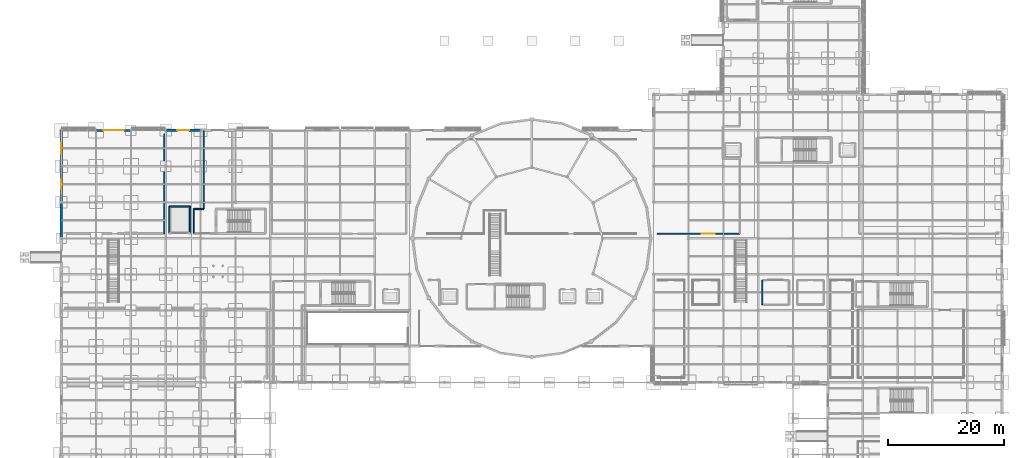
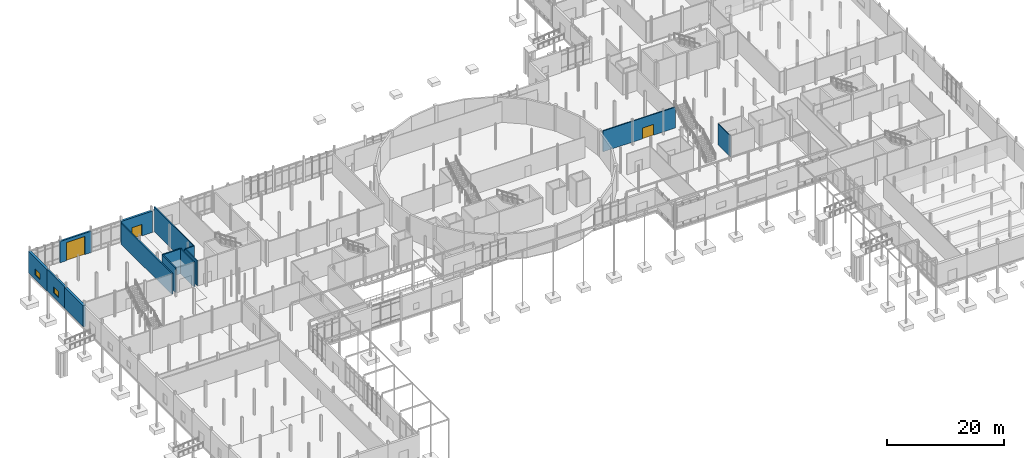
# One storey, part 70 of 98: 14 walls, 3 doors, 2 windows, 5 openings.
"""IFC4 building model written with IfcOpenShell, lengths in metres."""

from ifc_helpers import new_model, si_unit, direction, frame, frame_2d, origin, place, context, subcontext, project, spatial, rectangle, extrude, material, layer, layer_set, type_object, element, fill, save


model = new_model("IFC4")

# Units and contexts
model_context = context("Model", 3, precision=1e-05, world=origin(), true_north=direction((0.0, 1.0)))
body_context = subcontext(model_context, "Body", "Model", "MODEL_VIEW")
ifc_project = project(units=[si_unit("LENGTHUNIT", "METRE"), si_unit("AREAUNIT", "SQUARE_METRE"), si_unit("VOLUMEUNIT", "CUBIC_METRE"), si_unit("PLANEANGLEUNIT", "RADIAN"), si_unit("MASSUNIT", "GRAM", prefix="KILO")], contexts=[model_context])

# Site, building, storey
site_placement = place(None, origin())
site = spatial("IfcSite", under=ifc_project, at=site_placement, CompositionType="ELEMENT")
building_placement = place(site_placement, origin())
building = spatial("IfcBuilding", under=site, at=building_placement, Name="Mirzam Square Science Centre", CompositionType="ELEMENT")
storey_placement = place(building_placement, origin())
storey = spatial("IfcBuildingStorey", under=building, at=storey_placement, Name="L00", CompositionType="ELEMENT", Elevation=0.0)

# Wall, opening, door
ifc_material_1 = material(Name="Honed Qatari Limestone Concrete C40/50", Category="masonry")
ifc_layer_1 = layer(ifc_material_1, 0.419921875)
ifc_layer_set_1 = layer_set([ifc_layer_1], Name="W-EXT-LIME-420")
wall_type_1 = type_object("IfcWallType", Name="W-EXT-LIME-420", PredefinedType="SOLIDWALL", material=ifc_layer_set_1)
wall_1_placement = place(storey_placement, frame((24.074951171875, 80.60009765625, 0.0), z_axis=(0.0, 0.0, 1.0), x_axis=(-1.0, 0.0, 0.0)))
wall_1 = element("IfcWall", 1, at=wall_1_placement, inside=storey, type_object=wall_type_1, Name="L00 external wall EW-WDG-N-L00-04", PredefinedType="SOLIDWALL", context=body_context, shape_type="SweptSolid", body=[
    extrude(rectangle(XDim=6.14990234375, YDim=0.419921875, at=frame_2d((3.074951171875, 0.0))), origin(), (0.0, 0.0, 1.0), 4.43994140625),
])
opening_1_placement = place(wall_1_placement, frame((2.074951171875, 0.0, 0.0)))
opening_1 = element("IfcOpeningElement", 2, at=opening_1_placement, cuts=wall_1, Name="Opening ED-01", PredefinedType="OPENING", context=body_context, shape_type="SweptSolid", body=[
    extrude(rectangle(XDim=2.0, YDim=2.39990234375, at=frame_2d((1.0, 1.199951171875))), frame((0.0, 0.219970703125, 0.0), z_axis=(0.0, -1.0, 0.0), x_axis=(1.0, 0.0, 0.0)), (0.0, 0.0, 1.0), 0.43994140625),
])
ifc_material_2 = material(Name="Thermally Broken Bronze-Anodised Aluminium and Laminated Glass", Category="aluminium")
door_type_1 = type_object("IfcDoorType", Name="DR-EXT-2000x2400", OperationType="DOUBLE_DOOR_SINGLE_SWING", PredefinedType="DOOR", material=ifc_material_2)
door_1_placement = place(opening_1_placement, frame((2.0, 0.0, 0.0), z_axis=(0.0, 0.0, 1.0), x_axis=(-1.0, 0.0, 0.0)))
door_1 = element("IfcDoor", 3, at=door_1_placement, inside=storey, type_object=door_type_1, Name="ED-L00-002", OperationType="DOUBLE_DOOR_SINGLE_SWING", OverallHeight=2.39990234375, OverallWidth=2.0, PredefinedType="DOOR", context=body_context, shape_type="SweptSolid", body=[
    extrude(rectangle(XDim=2.0, YDim=2.39990234375, at=frame_2d((1.0, 1.199951171875))), frame((0.0, 0.02490234375, 0.0), z_axis=(0.0, -1.0, 0.0), x_axis=(1.0, 0.0, 0.0)), (0.0, 0.0, 1.0), 0.050048828125),
])
fill(opening_1, door_1)

# Wall
ifc_layer_2 = layer(ifc_material_1, 0.449951171875)
ifc_layer_set_2 = layer_set([ifc_layer_2], Name="W-EXT-LIME-450")
wall_type_2 = type_object("IfcWallType", Name="W-EXT-LIME-450", PredefinedType="SOLIDWALL", material=ifc_layer_set_2)
wall_2_placement = place(storey_placement, frame((0.0, 68.27490234375, 0.0), z_axis=(0.0, 0.0, 1.0), x_axis=(0.0, -1.0, 0.0)))
element("IfcWall", 4, at=wall_2_placement, inside=storey, type_object=wall_type_2, Name="L00 external wall EW-WDG-W-L00-11", PredefinedType="SOLIDWALL", context=body_context, shape_type="SweptSolid", body=[
    extrude(rectangle(XDim=6.349853515625, YDim=0.449951171875, at=frame_2d((3.1748046875, 0.0))), origin(), (0.0, 0.0, 1.0), 4.43994140625),
])

# Wall, opening, window
wall_3_placement = place(storey_placement, frame((0.0, 80.675048828125, 0.0), z_axis=(0.0, 0.0, 1.0), x_axis=(0.0, -1.0, 0.0)))
wall_3 = element("IfcWall", 5, at=wall_3_placement, inside=storey, type_object=wall_type_2, Name="L00 external wall EW-WDG-W-L00-13", PredefinedType="SOLIDWALL", context=body_context, shape_type="SweptSolid", body=[
    extrude(rectangle(XDim=6.35009765625, YDim=0.449951171875, at=frame_2d((3.175048828125, 0.0))), origin(), (0.0, 0.0, 1.0), 4.43994140625),
])
opening_2_placement = place(wall_3_placement, frame((2.324951171875, 0.0, 0.89990234375)))
opening_2 = element("IfcOpeningElement", 6, at=opening_2_placement, cuts=wall_3, Name="Opening W-05", PredefinedType="OPENING", context=body_context, shape_type="SweptSolid", body=[
    extrude(rectangle(XDim=1.699951171875, YDim=1.300048828125, at=frame_2d((0.85009765625, 0.64990234375))), frame((0.0, 0.23486328125, 0.0), z_axis=(0.0, -1.0, 0.0), x_axis=(1.0, 0.0, 0.0)), (0.0, 0.0, 1.0), 0.469970703125),
])
ifc_material_3 = material(Name="Thermally Broken Bronze Aluminium and Low-E Glass", Category="aluminium")
window_type_1 = type_object("IfcWindowType", Name="WIN-1700x1300", PartitioningType="SINGLE_PANEL", PredefinedType="WINDOW", material=ifc_material_3)
window_1_placement = place(opening_2_placement, origin())
window_1 = element("IfcWindow", 7, at=window_1_placement, inside=storey, type_object=window_type_1, Name="L00 solar window 005", OverallHeight=1.300048828125, OverallWidth=1.699951171875, PartitioningType="SINGLE_PANEL", PredefinedType="WINDOW", context=body_context, shape_type="SweptSolid", body=[
    extrude(rectangle(XDim=1.699951171875, YDim=1.300048828125, at=frame_2d((0.85009765625, 0.64990234375))), frame((0.0, 0.030029296875, 0.0), z_axis=(0.0, -1.0, 0.0), x_axis=(1.0, 0.0, 0.0)), (0.0, 0.0, 1.0), 0.06005859375),
])
fill(opening_2, window_1)

# Wall, opening, door
ifc_material_4 = material(Name="Standing-Seam Zinc-Clad Concrete Backup C40/50", Category="concrete")
ifc_layer_3 = layer(ifc_material_4, 0.35009765625)
ifc_layer_set_3 = layer_set([ifc_layer_3], Name="W-EXT-METAL-350")
wall_type_3 = type_object("IfcWallType", Name="W-EXT-METAL-350", PredefinedType="SOLIDWALL", material=ifc_layer_set_3)
wall_4_placement = place(storey_placement, frame((12.074951171875, 80.60009765625, 0.0), z_axis=(0.0, 0.0, 1.0), x_axis=(-1.0, 0.0, 0.0)))
wall_4 = element("IfcWall", 8, at=wall_4_placement, inside=storey, type_object=wall_type_3, Name="L00 external wall EW-WDG-N-L00-02", PredefinedType="SOLIDWALL", context=body_context, shape_type="SweptSolid", body=[
    extrude(rectangle(XDim=6.14990234375, YDim=0.35009765625, at=frame_2d((3.074951171875, 0.0))), origin(), (0.0, 0.0, 1.0), 4.43994140625),
])
opening_3_placement = place(wall_4_placement, frame((1.27490234375, 0.0, 0.0)))
opening_3 = element("IfcOpeningElement", 9, at=opening_3_placement, cuts=wall_4, Name="Opening GT-01", PredefinedType="OPENING", context=body_context, shape_type="SweptSolid", body=[
    extrude(rectangle(XDim=3.60009765625, YDim=3.800048828125, at=frame_2d((1.800048828125, 1.89990234375))), frame((0.0, 0.18505859375, 0.0), z_axis=(0.0, -1.0, 0.0), x_axis=(1.0, 0.0, 0.0)), (0.0, 0.0, 1.0), 0.3701171875),
])
ifc_material_5 = material(Name="Insulated Galvanised Steel Roller Shutter", Category="steel")
door_type_2 = type_object("IfcDoorType", Name="GT-DOCK-3600x3800", OperationType="ROLLINGUP", PredefinedType="GATE", material=ifc_material_5)
door_2_placement = place(opening_3_placement, frame((3.60009765625, 0.0, 0.0), z_axis=(0.0, 0.0, 1.0), x_axis=(-1.0, 0.0, 0.0)))
door_2 = element("IfcDoor", 10, at=door_2_placement, inside=storey, type_object=door_type_2, Name="ED-L00-001", OperationType="ROLLINGUP", OverallHeight=3.800048828125, OverallWidth=3.60009765625, PredefinedType="GATE", context=body_context, shape_type="SweptSolid", body=[
    extrude(rectangle(XDim=3.60009765625, YDim=3.800048828125, at=frame_2d((1.800048828125, 1.89990234375))), frame((0.0, 0.02490234375, 0.0), z_axis=(0.0, -1.0, 0.0), x_axis=(1.0, 0.0, 0.0)), (0.0, 0.0, 1.0), 0.050048828125),
])
fill(opening_3, door_2)

# Wall, opening, window
wall_5_placement = place(storey_placement, frame((0.0, 74.47509765625, 0.0), z_axis=(0.0, 0.0, 1.0), x_axis=(0.0, -1.0, 0.0)))
wall_5 = element("IfcWall", 11, at=wall_5_placement, inside=storey, type_object=wall_type_3, Name="L00 external wall EW-WDG-W-L00-12", PredefinedType="SOLIDWALL", context=body_context, shape_type="SweptSolid", body=[
    extrude(rectangle(XDim=6.35009765625, YDim=0.35009765625, at=frame_2d((3.175048828125, 0.0))), origin(), (0.0, 0.0, 1.0), 4.43994140625),
])
opening_4_placement = place(wall_5_placement, frame((2.39990234375, 0.0, 0.89990234375)))
opening_4 = element("IfcOpeningElement", 12, at=opening_4_placement, cuts=wall_5, Name="Opening W-04", PredefinedType="OPENING", context=body_context, shape_type="SweptSolid", body=[
    extrude(rectangle(XDim=1.550048828125, YDim=1.300048828125, at=frame_2d((0.77490234375, 0.64990234375))), frame((0.0, 0.18505859375, 0.0), z_axis=(0.0, -1.0, 0.0), x_axis=(1.0, 0.0, 0.0)), (0.0, 0.0, 1.0), 0.3701171875),
])
window_type_2 = type_object("IfcWindowType", Name="WIN-1550x1300", PartitioningType="SINGLE_PANEL", PredefinedType="WINDOW", material=ifc_material_3)
window_2_placement = place(opening_4_placement, origin())
window_2 = element("IfcWindow", 13, at=window_2_placement, inside=storey, type_object=window_type_2, Name="L00 solar window 004", OverallHeight=1.300048828125, OverallWidth=1.550048828125, PartitioningType="SINGLE_PANEL", PredefinedType="WINDOW", context=body_context, shape_type="SweptSolid", body=[
    extrude(rectangle(XDim=1.550048828125, YDim=1.300048828125, at=frame_2d((0.77490234375, 0.64990234375))), frame((0.0, 0.030029296875, 0.0), z_axis=(0.0, -1.0, 0.0), x_axis=(1.0, 0.0, 0.0)), (0.0, 0.0, 1.0), 0.06005859375),
])
fill(opening_4, window_2)

# Walls
ifc_material_6 = material(Name="Concrete C45/55", Category="concrete")
ifc_layer_4 = layer(ifc_material_6, 0.199951171875)
ifc_layer_set_4 = layer_set([ifc_layer_4], Name="W-LOBBY-200")
wall_type_4 = type_object("IfcWallType", Name="W-LOBBY-200", PredefinedType="SHEAR", material=ifc_layer_set_4)
wall_6_placement = place(storey_placement, frame((22.800048828125, 67.050048828125, 0.0), z_axis=(0.0, 0.0, 1.0), x_axis=(0.0, -1.0, 0.0)))
element("IfcWall", 14, at=wall_6_placement, inside=storey, type_object=wall_type_4, Name="L00 CORE-2 lobby west wall", PredefinedType="SHEAR", context=body_context, shape_type="SweptSolid", body=[
    extrude(rectangle(XDim=4.2099609375, YDim=0.199951171875, at=frame_2d((2.10498046875, 0.0))), origin(), (0.0, 0.0, 1.0), 5.14990234375),
])
wall_7_placement = place(storey_placement, frame((24.550048828125, 67.050048828125, 0.0), z_axis=(0.0, 0.0, 1.0), x_axis=(-1.0, 0.0, 0.0)))
element("IfcWall", 15, at=wall_7_placement, inside=storey, type_object=wall_type_4, Name="L00 CORE-2 lobby north-west wall", PredefinedType="SHEAR", context=body_context, shape_type="SweptSolid", body=[
    extrude(rectangle(XDim=1.75, YDim=0.199951171875, at=frame_2d((0.875, 0.0))), origin(), (0.0, 0.0, 1.0), 5.14990234375),
])
wall_8_placement = place(storey_placement, frame((24.550048828125, 80.550048828125, 0.0), z_axis=(0.0, 0.0, 1.0), x_axis=(0.0, -1.0, 0.0)))
element("IfcWall", 16, at=wall_8_placement, inside=storey, type_object=wall_type_4, Name="L00 CORE-2 exit passage west wall", PredefinedType="SHEAR", context=body_context, shape_type="SweptSolid", body=[
    extrude(rectangle(XDim=13.5, YDim=0.199951171875, at=frame_2d((6.75, 0.0))), origin(), (0.0, 0.0, 1.0), 5.14990234375),
])
ifc_material_7 = material(Name="Workshop Acoustic Masonry Partition", Category="masonry")
ifc_layer_5 = layer(ifc_material_7, 0.179931640625)
ifc_layer_set_5 = layer_set([ifc_layer_5], Name="W-PART-180")
wall_type_5 = type_object("IfcWallType", Name="W-PART-180", PredefinedType="PARTITIONING", material=ifc_layer_set_5)
wall_9_placement = place(storey_placement, frame((120.699951171875, 50.60009765625, 0.0), z_axis=(0.0, 0.0, 1.0), x_axis=(0.0, 1.0, 0.0)))
element("IfcWall", 17, at=wall_9_placement, inside=storey, type_object=wall_type_5, Name="L00 Female WC L00 partition 48", PredefinedType="PARTITIONING", context=body_context, shape_type="SweptSolid", body=[
    extrude(rectangle(XDim=4.199951171875, YDim=0.179931640625, at=frame_2d((2.10009765625, 0.0))), origin(), (0.0, 0.0, 1.0), 4.35009765625),
])

# Wall, opening, door
ifc_material_8 = material(Name="Fire-Rated Corridor Blockwork Concrete C30/37", Category="masonry")
ifc_layer_6 = layer(ifc_material_8, 0.199951171875)
ifc_layer_set_6 = layer_set([ifc_layer_6], Name="W-PART-200")
wall_type_6 = type_object("IfcWallType", Name="W-PART-200", PredefinedType="PARTITIONING", material=ifc_layer_set_6)
wall_10_placement = place(storey_placement, frame((116.800048828125, 62.800048828125, 0.0), z_axis=(0.0, 0.0, 1.0), x_axis=(-1.0, 0.0, 0.0)))
wall_10 = element("IfcWall", 18, at=wall_10_placement, inside=storey, type_object=wall_type_6, Name="L00 School Maker Workshop 2 partition 82", PredefinedType="PARTITIONING", context=body_context, shape_type="SweptSolid", body=[
    extrude(rectangle(XDim=14.199951171875, YDim=0.199951171875, at=frame_2d((7.10009765625, 0.0))), origin(), (0.0, 0.0, 1.0), 4.35009765625),
])
opening_5_placement = place(wall_10_placement, frame((4.2958984375, 0.0, 0.0)))
opening_5 = element("IfcOpeningElement", 19, at=opening_5_placement, cuts=wall_10, Name="Opening D-23", PredefinedType="OPENING", context=body_context, shape_type="SweptSolid", body=[
    extrude(rectangle(XDim=2.199951171875, YDim=2.25, at=frame_2d((1.10009765625, 1.125))), frame((0.0, 0.10986328125, 0.0), z_axis=(0.0, -1.0, 0.0), x_axis=(1.0, 0.0, 0.0)), (0.0, 0.0, 1.0), 0.219970703125),
])
ifc_material_9 = material(Name="Powder-Coated Architectural Steel Acoustic Door", Category="steel")
door_type_3 = type_object("IfcDoorType", Name="DR-INT-2200x2250", OperationType="DOUBLE_DOOR_SINGLE_SWING", PredefinedType="DOOR", material=ifc_material_9)
door_3_placement = place(opening_5_placement, origin())
door_3 = element("IfcDoor", 20, at=door_3_placement, inside=storey, type_object=door_type_3, Name="ID-L00-0022", OperationType="DOUBLE_DOOR_SINGLE_SWING", OverallHeight=2.25, OverallWidth=2.199951171875, PredefinedType="DOOR", context=body_context, shape_type="SweptSolid", body=[
    extrude(rectangle(XDim=2.199951171875, YDim=2.25, at=frame_2d((1.10009765625, 1.125))), frame((0.0, 0.02490234375, 0.0), z_axis=(0.0, -1.0, 0.0), x_axis=(1.0, 0.0, 0.0)), (0.0, 0.0, 1.0), 0.050048828125),
])
fill(opening_5, door_3)

# Walls
ifc_material_10 = material(Name="Plant Acoustic Barrier Wall Concrete C35/45", Category="concrete")
ifc_layer_7 = layer(ifc_material_10, 0.2451171875)
ifc_layer_set_7 = layer_set([ifc_layer_7], Name="W-PART-245")
wall_type_7 = type_object("IfcWallType", Name="W-PART-245", PredefinedType="PARTITIONING", material=ifc_layer_set_7)
wall_11_placement = place(storey_placement, frame((17.800048828125, 80.0, 0.0), z_axis=(0.0, 0.0, 1.0), x_axis=(0.0, -1.0, 0.0)))
element("IfcWall", 21, at=wall_11_placement, inside=storey, type_object=wall_type_7, Name="L00 Enclosed HGV Exhibit Loading Dock partition 59", PredefinedType="PARTITIONING", context=body_context, shape_type="SweptSolid", body=[
    extrude(rectangle(XDim=17.199951171875, YDim=0.2451171875, at=frame_2d((8.60009765625, 0.0))), origin(), (0.0, 0.0, 1.0), 4.35009765625),
])
ifc_layer_8 = layer(ifc_material_6, 0.25)
ifc_layer_set_8 = layer_set([ifc_layer_8], Name="W-SHAFT-250")
wall_type_8 = type_object("IfcWallType", Name="W-SHAFT-250", PredefinedType="SHEAR", material=ifc_layer_set_8)
wall_12_placement = place(storey_placement, frame((22.199951171875, 67.5, 0.0), z_axis=(0.0, 0.0, 1.0), x_axis=(-1.0, 0.0, 0.0)))
element("IfcWall", 22, at=wall_12_placement, inside=storey, type_object=wall_type_8, Name="L00 lift LG-01 shaft wall N", PredefinedType="SHEAR", context=body_context, shape_type="SweptSolid", body=[
    extrude(rectangle(XDim=3.599853515625, YDim=0.25, at=frame_2d((1.7998046875, 0.0))), origin(), (0.0, 0.0, 1.0), 5.14990234375),
])
for number, where, z_axis, x_axis, name in (
    (23, (18.60009765625, 67.5, 0.0), (0.0, 0.0, 1.0), (0.0, -1.0, 0.0), "L00 lift LG-01 shaft wall W"),
    (24, (22.199951171875, 62.89990234375, 0.0), (0.0, 0.0, 1.0), (0.0, 1.0, 0.0), "L00 lift LG-01 shaft wall E"),
):
    element("IfcWall", number, at=place(storey_placement, frame(where, z_axis=z_axis, x_axis=x_axis)), inside=storey, type_object=wall_type_8, Name=name, PredefinedType="SHEAR", context=body_context, shape_type="SweptSolid", body=[
        extrude(rectangle(XDim=4.60009765625, YDim=0.25, at=frame_2d((2.300048828125, 0.0))), origin(), (0.0, 0.0, 1.0), 5.14990234375),
    ])

save(model, "model.ifc")
